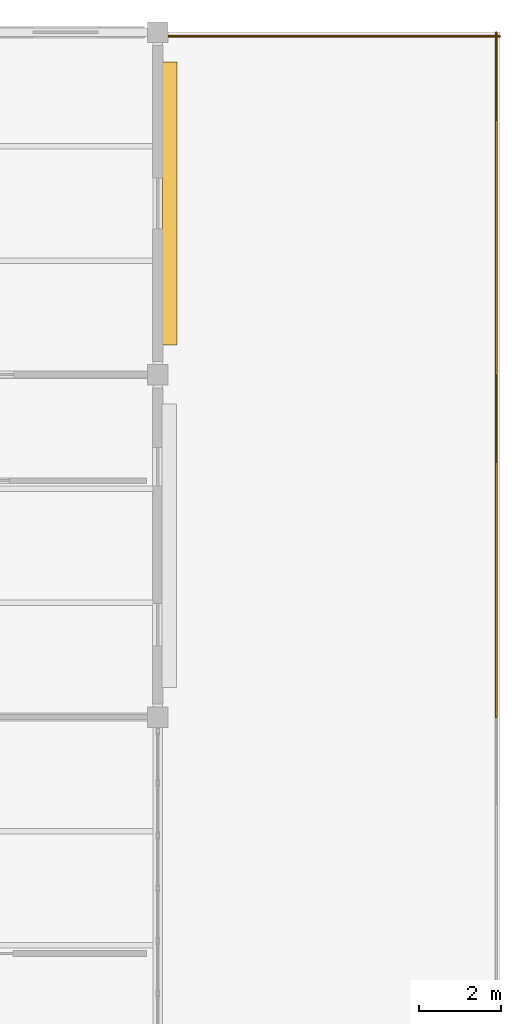
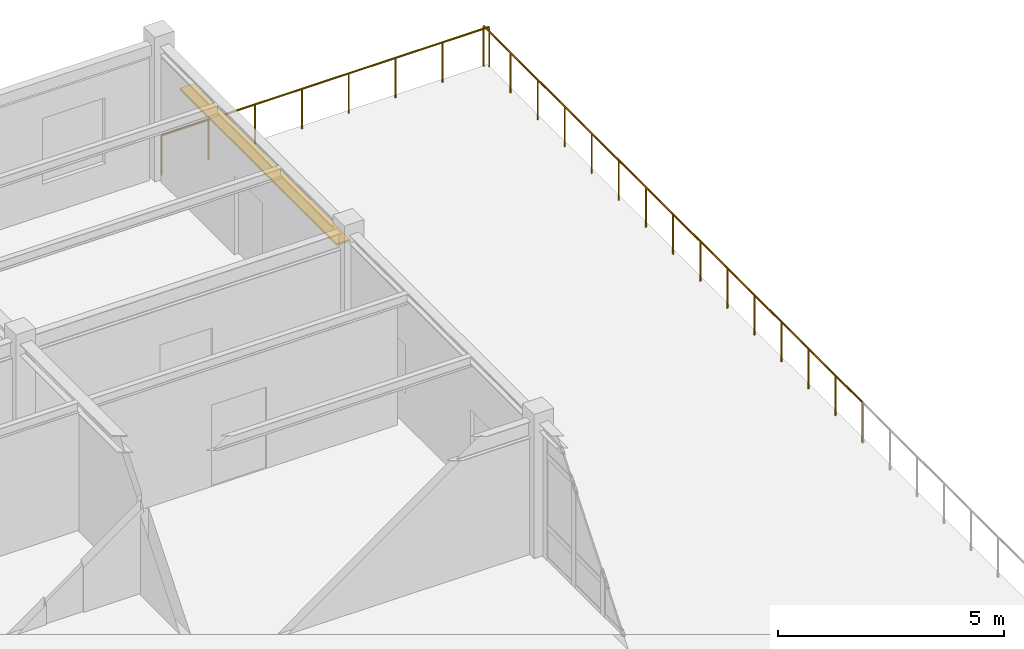
# One storey, part 70 of 70: 3 railings, 1 shading device.
"""IFC4 building model written with IfcOpenShell, lengths in metres."""

from ifc_helpers import new_model, si_unit, direction, frame, origin, origin_2d, place, context, subcontext, project, spatial, rectangle, circle, extrude, material, material_profile, profile_set, type_object, element, save


model = new_model("IFC4")

# Units and contexts
model_context = context("Model", 3, precision=1e-05, world=origin(), true_north=direction((0.0, 1.0)))
body_context = subcontext(model_context, "Body", "Model", "MODEL_VIEW")
ifc_project = project(units=[si_unit("LENGTHUNIT", "METRE"), si_unit("AREAUNIT", "SQUARE_METRE"), si_unit("VOLUMEUNIT", "CUBIC_METRE"), si_unit("PLANEANGLEUNIT", "RADIAN"), si_unit("MASSUNIT", "GRAM", prefix="KILO")], contexts=[model_context])

# Site, building, storey
site_placement = place(None, origin())
site = spatial("IfcSite", under=ifc_project, at=site_placement, CompositionType="ELEMENT")
building_placement = place(site_placement, origin())
building = spatial("IfcBuilding", under=site, at=building_placement, Name="Bramfleet General Hospital", CompositionType="ELEMENT")
storey_placement = place(building_placement, frame((0.0, 0.0, 22.5)))
storey = spatial("IfcBuildingStorey", under=building, at=storey_placement, Name="L05", CompositionType="ELEMENT", Elevation=22.5)

# Railings
ifc_material_1 = material(Name="Stainless steel 1.4401 safety balustrade", Category="steel")
railing_type = type_object("IfcRailingType", Name="RAIL-EXT-GUARD", PredefinedType="GUARDRAIL", material=ifc_material_1)
railing_1_placement = place(storey_placement, frame((167.89990234375, 117.590087890625, 0.0)))
element("IfcRailing", 1, at=railing_1_placement, inside=storey, type_object=railing_type, Name="L05 Safety Guard Rail 190", PredefinedType="GUARDRAIL", context=body_context, shape_type="SweptSolid", body=[
    extrude(circle(Radius=0.02392578125, at=origin_2d()), frame((0.0, 0.0, 1.076171875), z_axis=(0.0, -1.0, 0.0), x_axis=(1.0, 0.0, 0.0)), (0.0, 0.0, 1.0), 8.380126953125),
    extrude(circle(Radius=0.02099609375, at=origin_2d()), origin(), (0.0, 0.0, 1.0), 1.052001953125),
    extrude(circle(Radius=0.02099609375, at=origin_2d()), frame((0.0, -1.197265625, 0.0)), (0.0, 0.0, 1.0), 1.052001953125),
    extrude(circle(Radius=0.02099609375, at=origin_2d()), frame((0.0, -2.394287109375, 0.0)), (0.0, 0.0, 1.0), 1.052001953125),
    extrude(circle(Radius=0.02099609375, at=origin_2d()), frame((0.0, -3.591552734375, 0.0)), (0.0, 0.0, 1.0), 1.052001953125),
    extrude(circle(Radius=0.02099609375, at=origin_2d()), frame((0.0, -4.78857421875, 0.0)), (0.0, 0.0, 1.0), 1.052001953125),
    extrude(circle(Radius=0.02099609375, at=origin_2d()), frame((0.0, -5.98583984375, 0.0)), (0.0, 0.0, 1.0), 1.052001953125),
    extrude(circle(Radius=0.02099609375, at=origin_2d()), frame((0.0, -7.182861328125, 0.0)), (0.0, 0.0, 1.0), 1.052001953125),
    extrude(circle(Radius=0.02099609375, at=origin_2d()), frame((0.0, -8.380126953125, 0.0)), (0.0, 0.0, 1.0), 1.052001953125),
])
railing_2_placement = place(storey_placement, frame((167.89990234375, 109.18994140625, 0.0)))
element("IfcRailing", 2, at=railing_2_placement, inside=storey, type_object=railing_type, Name="L05 Safety Guard Rail 191", PredefinedType="GUARDRAIL", context=body_context, shape_type="SweptSolid", body=[
    extrude(circle(Radius=0.02392578125, at=origin_2d()), frame((0.0, 0.0, 1.076171875), z_axis=(0.0, -1.0, 0.0), x_axis=(1.0, 0.0, 0.0)), (0.0, 0.0, 1.0), 8.3798828125),
    extrude(circle(Radius=0.02099609375, at=origin_2d()), origin(), (0.0, 0.0, 1.0), 1.052001953125),
    extrude(circle(Radius=0.02099609375, at=origin_2d()), frame((0.0, -1.197021484375, 0.0)), (0.0, 0.0, 1.0), 1.052001953125),
    extrude(circle(Radius=0.02099609375, at=origin_2d()), frame((0.0, -2.394287109375, 0.0)), (0.0, 0.0, 1.0), 1.052001953125),
    extrude(circle(Radius=0.02099609375, at=origin_2d()), frame((0.0, -3.59130859375, 0.0)), (0.0, 0.0, 1.0), 1.052001953125),
    extrude(circle(Radius=0.02099609375, at=origin_2d()), frame((0.0, -4.78857421875, 0.0)), (0.0, 0.0, 1.0), 1.052001953125),
    extrude(circle(Radius=0.02099609375, at=origin_2d()), frame((0.0, -5.985595703125, 0.0)), (0.0, 0.0, 1.0), 1.052001953125),
    extrude(circle(Radius=0.02099609375, at=origin_2d()), frame((0.0, -7.182861328125, 0.0)), (0.0, 0.0, 1.0), 1.052001953125),
    extrude(circle(Radius=0.02099609375, at=origin_2d()), frame((0.0, -8.3798828125, 0.0)), (0.0, 0.0, 1.0), 1.052001953125),
])
railing_3_placement = place(storey_placement, frame((159.610107421875, 117.5, 0.0)))
element("IfcRailing", 3, at=railing_3_placement, inside=storey, type_object=railing_type, Name="L05 Safety Guard Rail 194", PredefinedType="GUARDRAIL", context=body_context, shape_type="SweptSolid", body=[
    extrude(circle(Radius=0.02392578125, at=origin_2d()), frame((0.0, 0.0, 1.076171875), z_axis=(1.0, 0.0, 0.0), x_axis=(0.0, 1.0, 0.0)), (0.0, 0.0, 1.0), 8.3798828125),
    extrude(circle(Radius=0.02099609375, at=origin_2d()), origin(), (0.0, 0.0, 1.0), 1.052001953125),
    extrude(circle(Radius=0.02099609375, at=origin_2d()), frame((1.197021484375, 0.0, 0.0)), (0.0, 0.0, 1.0), 1.052001953125),
    extrude(circle(Radius=0.02099609375, at=origin_2d()), frame((2.394287109375, 0.0, 0.0)), (0.0, 0.0, 1.0), 1.052001953125),
    extrude(circle(Radius=0.02099609375, at=origin_2d()), frame((3.59130859375, 0.0, 0.0)), (0.0, 0.0, 1.0), 1.052001953125),
    extrude(circle(Radius=0.02099609375, at=origin_2d()), frame((4.78857421875, 0.0, 0.0)), (0.0, 0.0, 1.0), 1.052001953125),
    extrude(circle(Radius=0.02099609375, at=origin_2d()), frame((5.985595703125, 0.0, 0.0)), (0.0, 0.0, 1.0), 1.052001953125),
    extrude(circle(Radius=0.02099609375, at=origin_2d()), frame((7.182861328125, 0.0, 0.0)), (0.0, 0.0, 1.0), 1.052001953125),
    extrude(circle(Radius=0.02099609375, at=origin_2d()), frame((8.3798828125, 0.0, 0.0)), (0.0, 0.0, 1.0), 1.052001953125),
])

# Shading device
ifc_material_2 = material(Name="Anodised aluminium EN AW-6063", Category="aluminium")
ifc_material_profile = material_profile(ifc_material_2, rectangle(XDim=0.050048828125, YDim=0.35009765625, at=origin_2d()), Name="ALU LOUVRE 350x50")
ifc_profile_set = profile_set([ifc_material_profile], Name="Anodised aluminium EN AW-6063")
shading_device_type = type_object("IfcShadingDeviceType", Name="SHD-LVR-350", PredefinedType="USERDEFINED", material=ifc_profile_set)
shading_device_placement = place(storey_placement, frame((159.892578125, 116.875, 2.669921875), z_axis=(0.0, -1.0, 0.0), x_axis=(0.0, 0.0, 1.0)))
element("IfcShadingDevice", 4, at=shading_device_placement, inside=storey, type_object=shading_device_type, Name="L05 Solar Shading Louvre 50", ObjectType="Louvre", PredefinedType="USERDEFINED", context=body_context, shape_type="SweptSolid", body=[
    extrude(rectangle(XDim=0.050048828125, YDim=0.35009765625, at=origin_2d()), origin(), (0.0, 0.0, 1.0), 6.949951171875),
])

save(model, "model.ifc")
